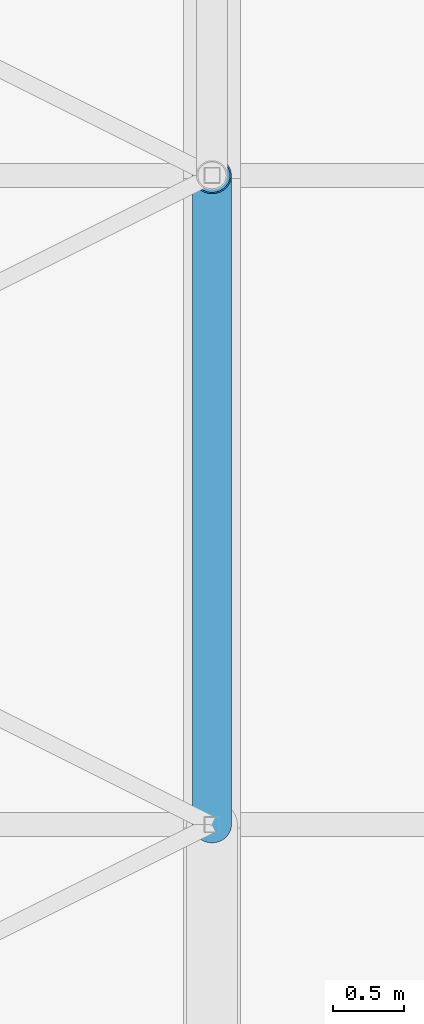
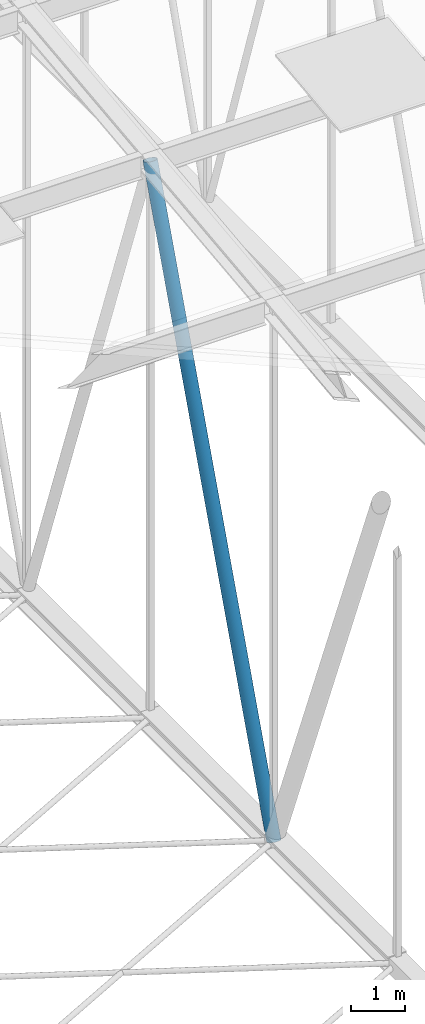
# One storey, part 83 of 500: 1 member.
"""IFC4 building model written with IfcOpenShell, lengths in metres."""

from ifc_helpers import new_model, si_unit, direction, frame, origin, origin_2d, place, context, subcontext, project, spatial, hollow_circle, extrude, material, material_profile, profile_set, type_object, element, save


model = new_model("IFC4")

# Units and contexts
model_context = context("Model", 3, precision=1e-05, world=origin(), true_north=direction((0.0, 1.0)))
body_context = subcontext(model_context, "Body", "Model", "MODEL_VIEW")
ifc_project = project(units=[si_unit("LENGTHUNIT", "METRE"), si_unit("AREAUNIT", "SQUARE_METRE"), si_unit("VOLUMEUNIT", "CUBIC_METRE"), si_unit("PLANEANGLEUNIT", "RADIAN"), si_unit("MASSUNIT", "GRAM", prefix="KILO")], contexts=[model_context])

# Site, building, storey
site_placement = place(None, origin())
site = spatial("IfcSite", under=ifc_project, at=site_placement, CompositionType="ELEMENT")
building_placement = place(site_placement, origin())
building = spatial("IfcBuilding", under=site, at=building_placement, Name="Shirokan Park Arena", CompositionType="ELEMENT")
storey_placement = place(building_placement, frame((0.0, 0.0, 29.1201171875)))
storey = spatial("IfcBuildingStorey", under=building, at=storey_placement, Name="L06", CompositionType="ELEMENT", Elevation=29.1201171875)

# Member
ifc_material = material(Name="Steel ASTM A500 Grade C", Category="steel")
ifc_material_profile = material_profile(ifc_material, hollow_circle(Radius=0.136474609375, WallThickness=0.009521484375, at=origin_2d()), Name="HSS273.1X9.5")
ifc_profile_set = profile_set([ifc_material_profile], Name="Steel ASTM A500 Grade C")
member_type = type_object("IfcMemberType", Name="Truss diagonal HSS273.1X9.5", PredefinedType="BRACE", material=ifc_profile_set)
member_placement = place(storey_placement, frame((54.60009765625, 36.39990234375, 4.677001953125), z_axis=(0.0, 0.340977600467, 0.94007142068), x_axis=(-1.0, 0.0, 0.0)))
element("IfcMember", 1, at=member_placement, inside=storey, type_object=member_type, Name="Truss T07 diagonal 11", PredefinedType="BRACE", context=body_context, shape_type="SweptSolid", body=[
    extrude(hollow_circle(Radius=0.136474609375, WallThickness=0.009521484375, at=origin_2d()), origin(), (0.0, 0.0, 1.0), 13.34423828125),
])

save(model, "model.ifc")
